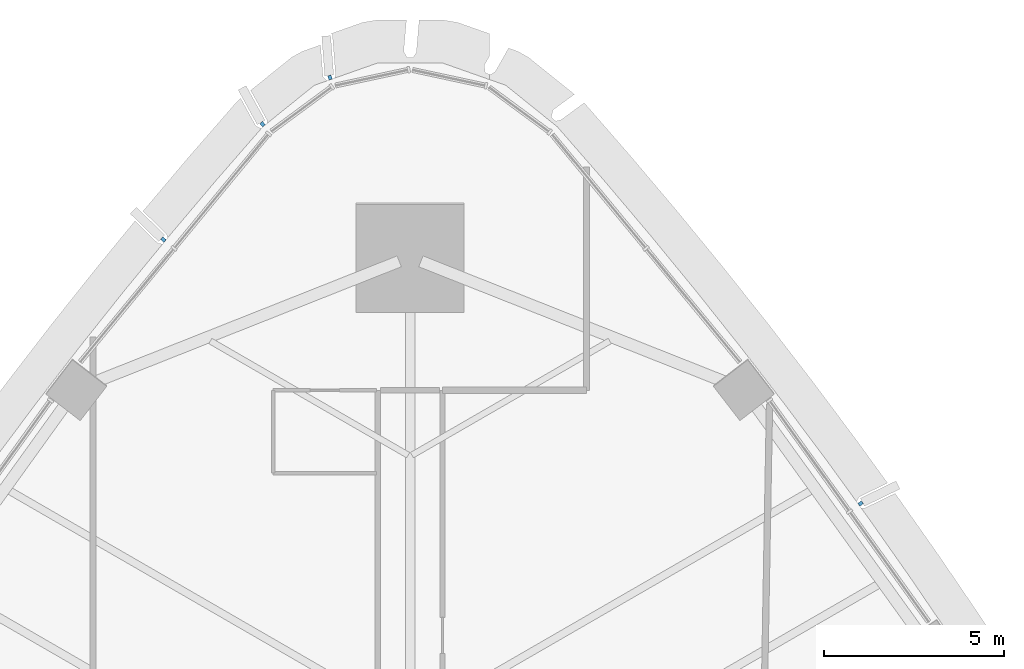
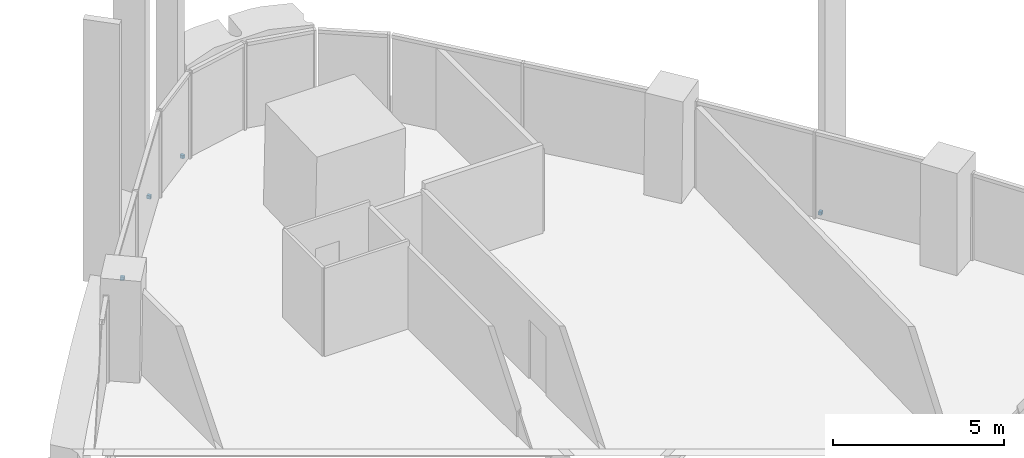
# One storey, part 17 of 22: 4 discrete accessories.
"""IFC4 building model written with IfcOpenShell, lengths in metres."""

from ifc_helpers import new_model, si_unit, direction, frame, origin, origin_2d, place, context, subcontext, project, spatial, rectangle, extrude, material, type_object, element, save


model = new_model("IFC4")

# Units and contexts
model_context = context("Model", 3, precision=1e-05, world=origin(), true_north=direction((0.0, 1.0)))
body_context = subcontext(model_context, "Body", "Model", "MODEL_VIEW")
ifc_project = project(units=[si_unit("LENGTHUNIT", "METRE"), si_unit("AREAUNIT", "SQUARE_METRE"), si_unit("VOLUMEUNIT", "CUBIC_METRE"), si_unit("PLANEANGLEUNIT", "RADIAN"), si_unit("MASSUNIT", "GRAM", prefix="KILO")], contexts=[model_context])

# Site, building, storey
site_placement = place(None, origin())
site = spatial("IfcSite", under=ifc_project, at=site_placement, CompositionType="ELEMENT")
building_placement = place(site_placement, origin())
building = spatial("IfcBuilding", under=site, at=building_placement, Name="Sierra Prisma Convention Tower", CompositionType="ELEMENT")
storey_placement = place(building_placement, frame((0.0, 0.0, 103.5)))
storey = spatial("IfcBuildingStorey", under=building, at=storey_placement, Name="L22", CompositionType="ELEMENT", Elevation=103.5)

# Discrete accessories
ifc_material = material(Name="Stainless steel 316", Category="steel")
discrete_accessory_type = type_object("IfcDiscreteAccessoryType", Name="Fin bracket", PredefinedType="BRACKET", material=ifc_material)
for number, where, z_axis, x_axis, name in (
    (1, (12.505859375, 22.65576171875, -0.135009765625), (0.0, 0.0, 1.0), (0.809638730089, 0.586928553352, 0.0), "Fin bracket L22.7 base"),
    (2, (-2.223876953125, 34.481689453125, -0.135009765625), (0.0, 0.0, 1.0), (-0.332460980453, 0.943117011021, 0.0), "Fin bracket L22.14 base"),
    (3, (-4.0947265625, 33.1845703125, -0.135009765625), (0.0, 0.0, 1.0), (-0.627099212345, 0.778939392942, 0.0), "Fin bracket L22.15 base"),
    (4, (-6.8466796875, 29.9814453125, -0.135009765625), (0.0, 0.0, 1.0), (-0.773472345713, 0.633830048528, 0.0), "Fin bracket L22.16 base"),
):
    element("IfcDiscreteAccessory", number, at=place(storey_placement, frame(where, z_axis=z_axis, x_axis=x_axis)), inside=storey, type_object=discrete_accessory_type, Name=name, PredefinedType="BRACKET", context=body_context, shape_type="SweptSolid", body=[
        extrude(rectangle(XDim=0.1201171875, YDim=0.10009765625, at=origin_2d()), origin(), (0.0, 0.0, 1.0), 0.1201171875),
    ])

save(model, "model.ifc")
